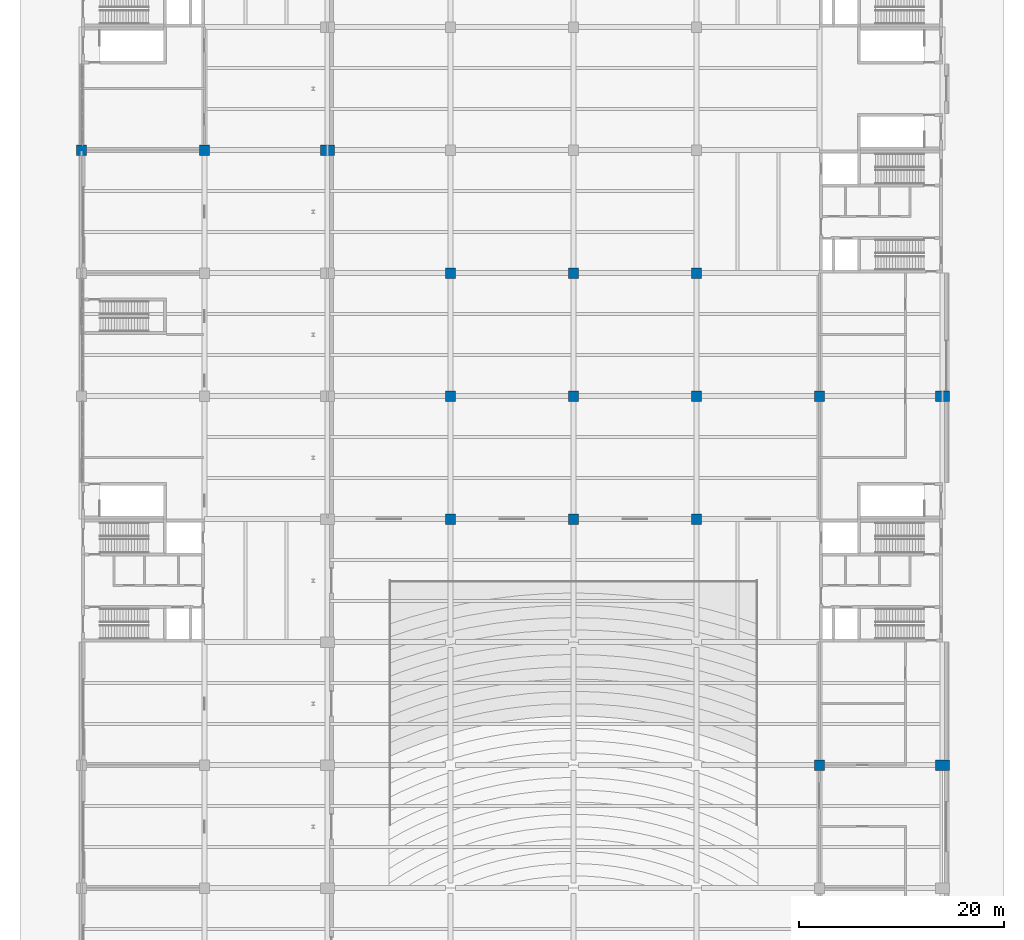
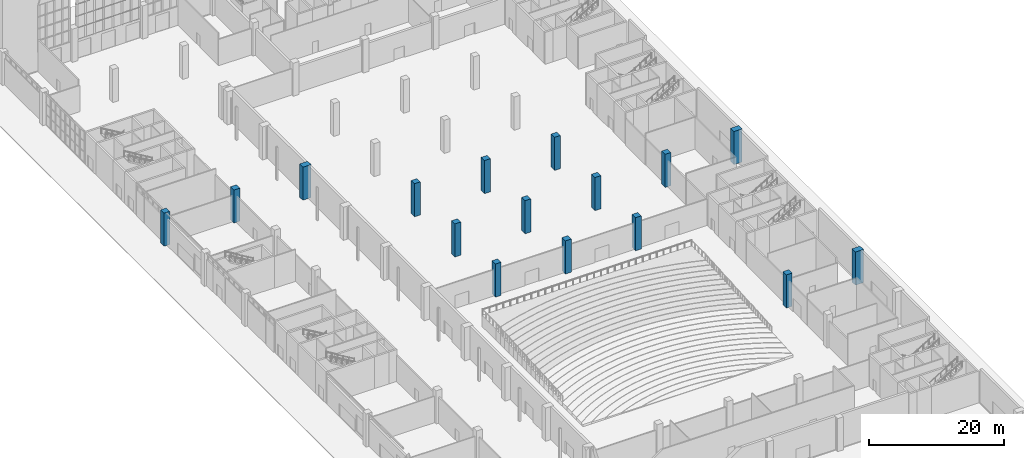
# One storey, part 10 of 59: 16 columns.
"""IFC4 building model written with IfcOpenShell, lengths in metres."""

import ifcopenshell
import ifcopenshell.guid

model = None  # the IFC model being written
_history = None  # IfcOwnerHistory: only IFC2X3 demands one
_inside = {}  # id of a spatial element -> (the spatial element, [elements in it])
_under = {}  # id of a project, library or spatial element -> (it, [spatial elements below it])
_declared = {}  # id of a project -> (the project, [libraries it declares])
_typed = {}  # id of a type object -> (the type object, [elements of that type])
_made_of = {}  # id of a material, layer set ... -> (it, [elements and type objects made of it])


def new_model(schema):
    """Start an empty IFC model of exactly this schema.

    Asked for "IFC4X3", IfcOpenShell would pick the latest addendum, in which some entities
    have other attributes; the version numbers below select the first issue.
    IFC2X3 requires an IfcOwnerHistory on every rooted entity: one is made here for all.
    """
    global model, _history
    if schema == "IFC4X3":
        model = ifcopenshell.file(schema_version=(4, 3, 0, 0))
    else:
        model = ifcopenshell.file(schema=schema)
    _inside.clear()
    _under.clear()
    _declared.clear()
    _typed.clear()
    _made_of.clear()
    _history = None
    if model.schema == "IFC2X3":
        org = make("IfcOrganization", Name="unknown")
        user = make(
            "IfcPersonAndOrganization",
            ThePerson=make("IfcPerson", FamilyName="unknown"),
            TheOrganization=org,
        )
        app = make(
            "IfcApplication",
            ApplicationDeveloper=org,
            Version="unknown",
            ApplicationFullName="unknown",
            ApplicationIdentifier="unknown",
        )
        _history = make(
            "IfcOwnerHistory",
            OwningUser=user,
            OwningApplication=app,
            ChangeAction="ADDED",
            CreationDate=0,
        )
    return model


def make(cls, **values):
    """One entity of the class cls with the attributes given. An attribute that is None is left unset."""
    return model.create_entity(
        cls, **{name: value for name, value in values.items() if value is not None}
    )


def rooted(cls, **values):
    """An entity with a GlobalId (a new one), such as an element, a storey or a relation."""
    return make(cls, GlobalId=ifcopenshell.guid.new(), OwnerHistory=_history, **values)


def si_unit(unit_type, name, prefix=None):
    """IfcSIUnit, for example si_unit("LENGTHUNIT", "METRE", prefix="MILLI")."""
    return make("IfcSIUnit", UnitType=unit_type, Prefix=prefix, Name=name)


def assignment(units):
    """IfcUnitAssignment: the units of a project."""
    return None if units is None else make("IfcUnitAssignment", Units=units)


def point(xyz):
    """IfcCartesianPoint."""
    return None if xyz is None else make("IfcCartesianPoint", Coordinates=xyz)


def direction(xyz):
    """IfcDirection."""
    return None if xyz is None else make("IfcDirection", DirectionRatios=xyz)


def frame(location, z_axis=None, x_axis=None):
    """IfcAxis2Placement3D, a coordinate frame: its origin and axes. An axis left out is left unset."""
    return make(
        "IfcAxis2Placement3D",
        Location=point(location),
        Axis=direction(z_axis),
        RefDirection=direction(x_axis),
    )


def frame_2d(location, x_axis=None):
    """IfcAxis2Placement2D, a coordinate frame in the plane: its origin and x axis."""
    return make(
        "IfcAxis2Placement2D", Location=point(location), RefDirection=direction(x_axis)
    )


def origin():
    """The frame at (0, 0, 0) with its axes left unset."""
    return frame((0.0, 0.0, 0.0))


def origin_2d():
    """The frame at (0, 0) in the plane with its x axis left unset."""
    return frame_2d((0.0, 0.0))


def place(relative_to, where):
    """IfcLocalPlacement: puts the frame where relative to a parent placement (None: the world)."""
    return make(
        "IfcLocalPlacement", PlacementRelTo=relative_to, RelativePlacement=where
    )


def context(
    kind, dimensions, precision=None, world=None, true_north=None, identifier=None
):
    """IfcGeometricRepresentationContext, for example the 3D "Model" context."""
    return make(
        "IfcGeometricRepresentationContext",
        ContextIdentifier=identifier,
        ContextType=kind,
        CoordinateSpaceDimension=dimensions,
        Precision=precision,
        WorldCoordinateSystem=world,
        TrueNorth=true_north,
    )


def subcontext(parent, identifier, kind, view, scale=None):
    """IfcGeometricRepresentationSubContext, for example "Body" below "Model"."""
    return make(
        "IfcGeometricRepresentationSubContext",
        ContextIdentifier=identifier,
        ContextType=kind,
        ParentContext=parent,
        TargetScale=scale,
        TargetView=view,
    )


def project(units=None, contexts=None):
    """IfcProject with its units and contexts."""
    return rooted(
        "IfcProject",
        Name="project",
        RepresentationContexts=contexts,
        UnitsInContext=assignment(units),
    )


def spatial(cls, under=None, at=None, **own):
    """A site, building, storey or space (cls), placed at a placement, below another one or the project."""
    s = rooted(cls, ObjectPlacement=at, **own)
    if under is not None:
        _under.setdefault(under.id(), (under, []))[1].append(s)
    return s


def profile(cls, at=None, kind="AREA", **sizes):
    """A parametric profile (cls). Its sizes go by their IFC names, for example OverallWidth=200.0."""
    return make(cls, ProfileType=kind, Position=at, **sizes)


def rectangle(**sizes):
    """IfcRectangleProfileDef."""
    return profile("IfcRectangleProfileDef", **sizes)


def extrude(swept, where, along, depth):
    """IfcExtrudedAreaSolid: the profile swept, set in the frame where, extruded along a direction by depth."""
    return make(
        "IfcExtrudedAreaSolid",
        SweptArea=swept,
        Position=where,
        ExtrudedDirection=direction(along),
        Depth=depth,
    )


def shape(context_of_items, identifier, shape_type, items):
    """IfcShapeRepresentation: the items that make up one representation, for example the "Body"."""
    return make(
        "IfcShapeRepresentation",
        ContextOfItems=context_of_items,
        RepresentationIdentifier=identifier,
        RepresentationType=shape_type,
        Items=items,
    )


def material(Name=None, Category=None):
    """IfcMaterial."""
    return make("IfcMaterial", Name=Name, Category=Category)


def material_profile(
    of_material, cross_section, Name=None, Category=None, Priority=None
):
    """IfcMaterialProfile: a cross section and its material."""
    return make(
        "IfcMaterialProfile",
        Name=Name,
        Material=of_material,
        Profile=cross_section,
        Priority=Priority,
        Category=Category,
    )


def profile_set(profiles, Name=None, composite=None):
    """IfcMaterialProfileSet."""
    return make(
        "IfcMaterialProfileSet",
        Name=Name,
        MaterialProfiles=profiles,
        CompositeProfile=composite,
    )


def made_of(thing, what):
    """Note that an element or type object is made of a material, layer set ...; save() writes the relation."""
    if what is not None:
        _made_of.setdefault(what.id(), (what, []))[1].append(thing)
    return thing


def type_object(cls, material=None, **own):
    """A type object (cls), such as IfcWallType, which elements share."""
    return made_of(rooted(cls, **own), material)


def element(
    cls,
    number,
    at=None,
    inside=None,
    cuts=None,
    type_object=None,
    material=None,
    context=None,
    identifier="Body",
    shape_type=None,
    held_by="IfcProductDefinitionShape",
    body=None,
    shapes=None,
    **own,
):
    """One element of the class cls, such as IfcWall. Its Tag is "e" and its number.

    at: its placement. inside: the storey or other place that contains it. cuts: it is an
    opening in that element (IfcRelVoidsElement). A single representation is given by context,
    identifier, shape_type and body (its items); several are given by shapes. held_by: the class
    of the entity that holds the representations. save() writes the other relations.
    """
    e = rooted(cls, Tag="e%d" % number, ObjectPlacement=at, **own)
    if body is not None:
        shapes = [shape(context, identifier, shape_type, body)]
    if shapes is not None:
        e.Representation = make(held_by, Representations=shapes)
    if inside is not None:
        _inside.setdefault(inside.id(), (inside, []))[1].append(e)
    if cuts is not None:
        rooted(
            "IfcRelVoidsElement", RelatingBuildingElement=cuts, RelatedOpeningElement=e
        )
    if type_object is not None:
        _typed.setdefault(type_object.id(), (type_object, []))[1].append(e)
    return made_of(e, material)


def aggregate(whole, parts):
    """IfcRelAggregates: a whole, such as a stair, and the parts it consists of."""
    return rooted("IfcRelAggregates", RelatingObject=whole, RelatedObjects=parts)


def save(model, path):
    """Write the relations noted so far, then the file.

    IfcRelAggregates (storeys below a building ...), IfcRelContainedInSpatialStructure (elements
    in a storey), IfcRelDefinesByType, IfcRelAssociatesMaterial and IfcRelDeclares: one each for
    every whole, place, type object, material and project.
    """
    for whole, parts in _under.values():
        aggregate(whole, parts)
    for where, things in _inside.values():
        rooted(
            "IfcRelContainedInSpatialStructure",
            RelatedElements=things,
            RelatingStructure=where,
        )
    for kind, things in _typed.values():
        rooted("IfcRelDefinesByType", RelatedObjects=things, RelatingType=kind)
    for what, things in _made_of.values():
        rooted("IfcRelAssociatesMaterial", RelatedObjects=things, RelatingMaterial=what)
    for by, libraries in _declared.values():
        rooted("IfcRelDeclares", RelatingContext=by, RelatedDefinitions=libraries)
    model.write(path)


model = new_model("IFC4")

# Units and contexts
model_context = context("Model", 3, precision=1e-05, world=origin(), true_north=direction((0.0, 1.0)))
body_context = subcontext(model_context, "Body", "Model", "MODEL_VIEW")
ifc_project = project(units=[si_unit("LENGTHUNIT", "METRE"), si_unit("AREAUNIT", "SQUARE_METRE"), si_unit("VOLUMEUNIT", "CUBIC_METRE"), si_unit("PLANEANGLEUNIT", "RADIAN"), si_unit("MASSUNIT", "GRAM", prefix="KILO")], contexts=[model_context])

# Site, building, storey
site_placement = place(None, origin())
site = spatial("IfcSite", under=ifc_project, at=site_placement, CompositionType="ELEMENT")
building_placement = place(site_placement, origin())
building = spatial("IfcBuilding", under=site, at=building_placement, Name="Lilac Gate Convention Centre", CompositionType="ELEMENT")
storey_placement = place(building_placement, origin())
storey = spatial("IfcBuildingStorey", under=building, at=storey_placement, Name="L00", CompositionType="ELEMENT", Elevation=0.0)

# Columns
ifc_material = material(Name="Concrete C40", Category="concrete")
ifc_material_profile_1 = material_profile(ifc_material, rectangle(XDim=1.0, YDim=1.0, at=origin_2d()), Name="RC 1000x1000")
ifc_profile_set_1 = profile_set([ifc_material_profile_1], Name="Concrete C40")
column_type_1 = type_object("IfcColumnType", Name="RC column 1000x1000 C40", PredefinedType="COLUMN", material=ifc_profile_set_1)
for number, where, z_axis, x_axis, name in (
    (1, (6.0, 198.0, 0.0), (0.0, 0.0, 1.0), (1.0, 0.0, 0.0), "C1 L00 at 1/Q"),
    (2, (18.0, 198.0, 0.0), (0.0, 0.0, 1.0), (1.0, 0.0, 0.0), "C1 L00 at 2/Q"),
    (3, (42.0, 162.0, 0.0), (0.0, 0.0, 1.0), (1.0, 0.0, 0.0), "C1 L00 at 4/M"),
    (4, (42.0, 174.0, 0.0), (0.0, 0.0, 1.0), (1.0, 0.0, 0.0), "C1 L00 at 4/N"),
    (5, (42.0, 186.0, 0.0), (0.0, 0.0, 1.0), (1.0, 0.0, 0.0), "C1 L00 at 4/P"),
    (6, (54.0, 162.0, 0.0), (0.0, 0.0, 1.0), (1.0, 0.0, 0.0), "C1 L00 at 5/M"),
    (7, (54.0, 174.0, 0.0), (0.0, 0.0, 1.0), (1.0, 0.0, 0.0), "C1 L00 at 5/N"),
    (8, (54.0, 186.0, 0.0), (0.0, 0.0, 1.0), (1.0, 0.0, 0.0), "C1 L00 at 5/P"),
    (9, (66.0, 162.0, 0.0), (0.0, 0.0, 1.0), (1.0, 0.0, 0.0), "C1 L00 at 6/M"),
    (10, (66.0, 174.0, 0.0), (0.0, 0.0, 1.0), (1.0, 0.0, 0.0), "C1 L00 at 6/N"),
    (11, (66.0, 186.0, 0.0), (0.0, 0.0, 1.0), (1.0, 0.0, 0.0), "C1 L00 at 6/P"),
    (12, (78.0, 138.0, 0.0), (0.0, 0.0, 1.0), (1.0, 0.0, 0.0), "C1 L00 at 7/K"),
    (13, (78.0, 174.0, 0.0), (0.0, 0.0, 1.0), (1.0, 0.0, 0.0), "C1 L00 at 7/N"),
):
    element("IfcColumn", number, at=place(storey_placement, frame(where, z_axis=z_axis, x_axis=x_axis)), inside=storey, type_object=column_type_1, Name=name, PredefinedType="COLUMN", context=body_context, shape_type="SweptSolid", body=[
        extrude(rectangle(XDim=1.0, YDim=1.0, at=origin_2d()), origin(), (0.0, 0.0, 1.0), 6.0),
    ])
ifc_material_profile_2 = material_profile(ifc_material, rectangle(XDim=1.39990234375, YDim=1.0, at=origin_2d()), Name="RC 1400x1000")
ifc_profile_set_2 = profile_set([ifc_material_profile_2], Name="Concrete C40")
column_type_2 = type_object("IfcColumnType", Name="RC hall column 1400x1000 C40", PredefinedType="COLUMN", material=ifc_profile_set_2)
for number, where, z_axis, x_axis, name in (
    (14, (30.0, 198.0, 0.0), (0.0, 0.0, 1.0), (1.0, 0.0, 0.0), "C2 L00 at 3/Q"),
    (15, (90.0, 138.0, 0.0), (0.0, 0.0, 1.0), (1.0, 0.0, 0.0), "C2 L00 at 8/K"),
    (16, (90.0, 174.0, 0.0), (0.0, 0.0, 1.0), (1.0, 0.0, 0.0), "C2 L00 at 8/N"),
):
    element("IfcColumn", number, at=place(storey_placement, frame(where, z_axis=z_axis, x_axis=x_axis)), inside=storey, type_object=column_type_2, Name=name, PredefinedType="COLUMN", context=body_context, shape_type="SweptSolid", body=[
        extrude(rectangle(XDim=1.39990234375, YDim=1.0, at=origin_2d()), origin(), (0.0, 0.0, 1.0), 6.0),
    ])

save(model, "model.ifc")
